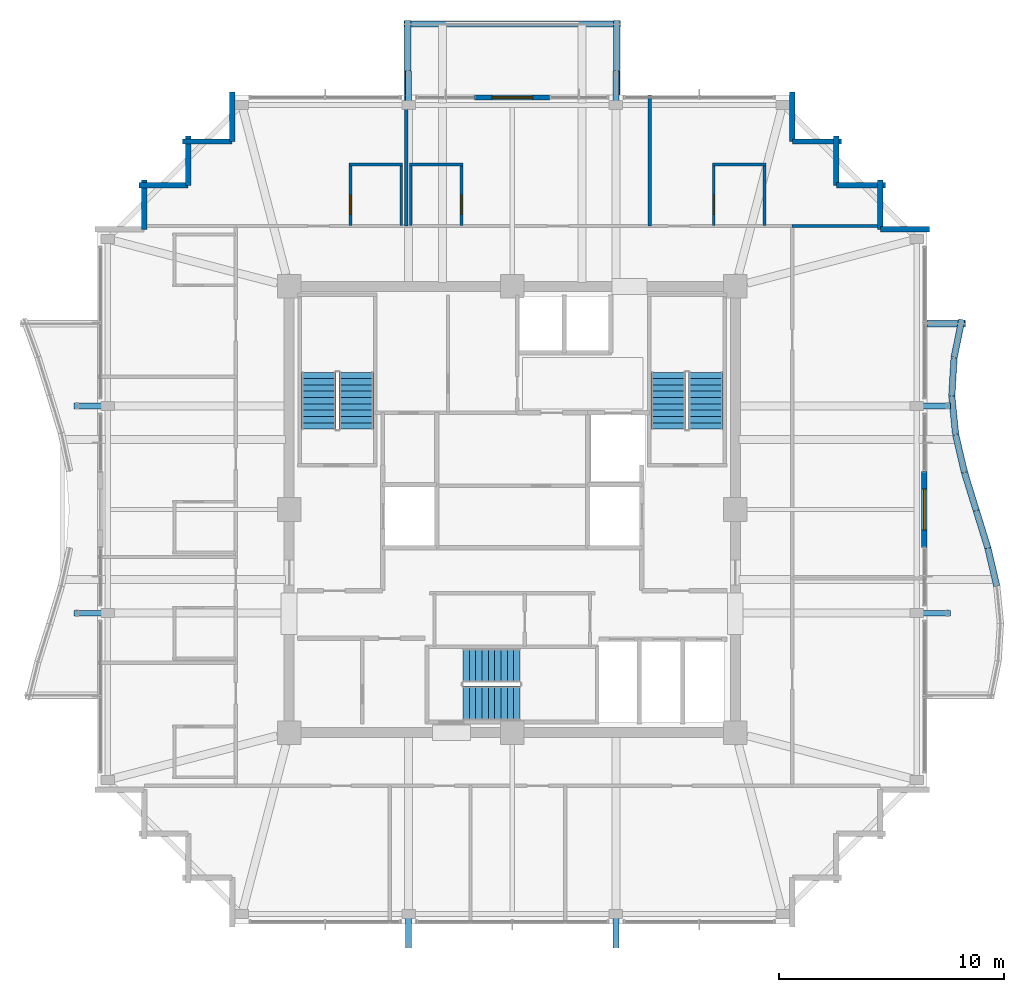
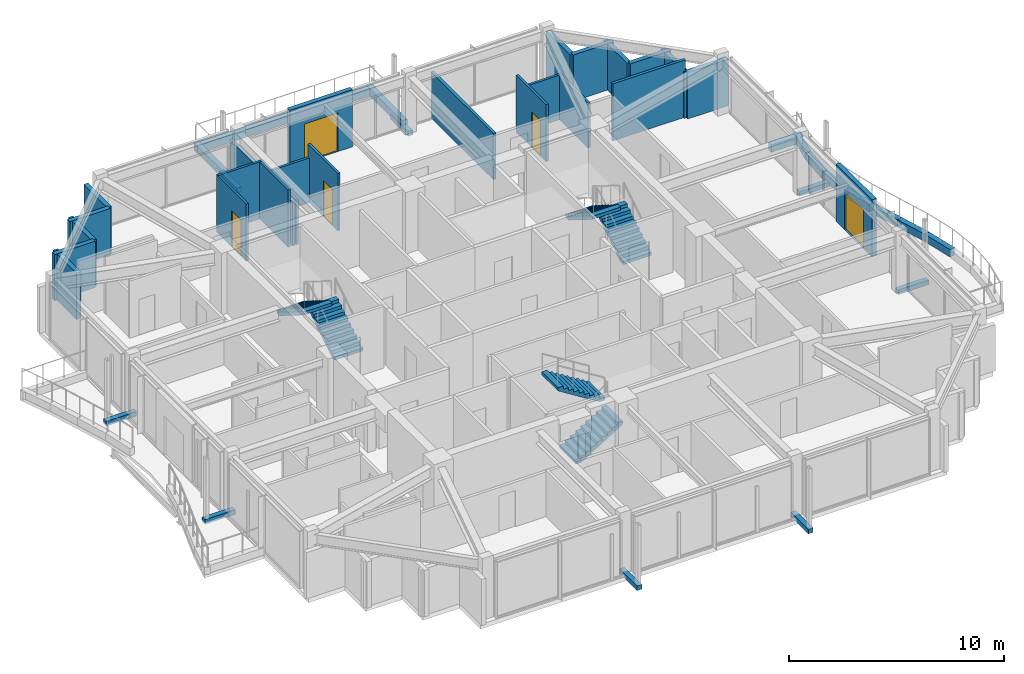
# One storey, part 29 of 31: 36 walls, 8 discrete accessories, 6 stair flights, 5 doors, 5 openings, 3 elements without a shape of their own.
"""IFC4 building model written with IfcOpenShell, lengths in metres."""

from ifc_helpers import new_model, si_unit, direction, frame, frame_2d, origin, origin_2d, place, context, subcontext, project, spatial, polyline, rectangle, outline, extrude, material, layer, layer_set, type_object, element, fill, aggregate, save


model = new_model("IFC4")

# Units and contexts
model_context = context("Model", 3, precision=1e-05, world=origin(), true_north=direction((0.0, 1.0)))
body_context = subcontext(model_context, "Body", "Model", "MODEL_VIEW")
ifc_project = project(units=[si_unit("LENGTHUNIT", "METRE"), si_unit("AREAUNIT", "SQUARE_METRE"), si_unit("VOLUMEUNIT", "CUBIC_METRE"), si_unit("PLANEANGLEUNIT", "RADIAN"), si_unit("MASSUNIT", "GRAM", prefix="KILO")], contexts=[model_context])

# Site, building, storey
site_placement = place(None, origin())
site = spatial("IfcSite", under=ifc_project, at=site_placement, CompositionType="ELEMENT")
building_placement = place(site_placement, origin())
building = spatial("IfcBuilding", under=site, at=building_placement, Name="Kolvaren Belvedere", CompositionType="ELEMENT")
storey_placement = place(building_placement, frame((0.0, 0.0, 251.39990234375)))
storey = spatial("IfcBuildingStorey", under=building, at=storey_placement, Name="L73", CompositionType="ELEMENT", Elevation=251.39990234375)

# Wall, opening, door
ifc_material_1 = material(Name="Insulated pale-metal facade wall assembly", Category="aluminium")
ifc_layer_1 = layer(ifc_material_1, 0.239990234375)
ifc_layer_set_1 = layer_set([ifc_layer_1], Name="Insulated pale-metal facade wall assembly")
wall_type_1 = type_object("IfcWallType", Name="WL-EXT-240", PredefinedType="STANDARD", material=ifc_layer_set_1)
wall_1_placement = place(storey_placement, frame((18.280029296875, 1.679931640625, 0.0), z_axis=(0.0, 0.0, 1.0), x_axis=(0.0, -1.0, 0.0)))
wall_1 = element("IfcWall", 1, at=wall_1_placement, inside=storey, type_object=wall_type_1, Name="L73 East Terrace Portal Wall", PredefinedType="STANDARD", context=body_context, shape_type="SweptSolid", body=[
    extrude(rectangle(XDim=3.35986328125, YDim=0.239990234375, at=frame_2d((1.679931640625, 0.0))), origin(), (0.0, 0.0, 1.0), 3.25),
])
opening_1_placement = place(wall_1_placement, frame((0.780029296875, 0.0, 0.0)))
opening_1 = element("IfcOpeningElement", 2, at=opening_1_placement, cuts=wall_1, Name="Opening DB-1800", PredefinedType="OPENING", context=body_context, shape_type="SweptSolid", body=[
    extrude(rectangle(XDim=1.800048828125, YDim=2.199951171875, at=frame_2d((0.89990234375, 1.10009765625))), frame((0.0, 0.1298828125, 0.0), z_axis=(0.0, -1.0, 0.0), x_axis=(1.0, 0.0, 0.0)), (0.0, 0.0, 1.0), 0.260009765625),
])
ifc_material_2 = material(Name="Thermally broken pale-metal aluminium & low-iron glass", Category="aluminium")
door_type_1 = type_object("IfcDoorType", Name="DR-BAL-1800", OperationType="DOUBLE_DOOR_SLIDING", PredefinedType="DOOR", material=ifc_material_2)
door_1_placement = place(opening_1_placement, origin())
door_1 = element("IfcDoor", 3, at=door_1_placement, inside=storey, type_object=door_type_1, Name="L73 East Planted Terrace Sliding Door", OperationType="DOUBLE_DOOR_SLIDING", OverallHeight=2.199951171875, OverallWidth=1.800048828125, PredefinedType="DOOR", context=body_context, shape_type="SweptSolid", body=[
    extrude(rectangle(XDim=1.800048828125, YDim=2.199951171875, at=frame_2d((0.89990234375, 1.10009765625))), frame((0.0, 0.02490234375, 0.0), z_axis=(0.0, -1.0, 0.0), x_axis=(1.0, 0.0, 0.0)), (0.0, 0.0, 1.0), 0.050048828125),
])
fill(opening_1, door_1)

# Walls
wall_2_placement = place(storey_placement, frame((16.330078125, 12.429931640625, 0.0), z_axis=(0.0, 0.0, 1.0), x_axis=(1.0, 0.0, 0.0)))
element("IfcWall", 4, at=wall_2_placement, inside=storey, type_object=wall_type_1, Name="L73 Serrated Corner Facade Wall 9", PredefinedType="STANDARD", context=body_context, shape_type="SweptSolid", body=[
    extrude(rectangle(XDim=2.18994140625, YDim=0.239990234375, at=frame_2d((1.094970703125, 0.0))), origin(), (0.0, 0.0, 1.0), 2.633056640625),
])
for number, where, z_axis, x_axis, name in (
    (5, (16.330078125, 14.6201171875, 0.0), (0.0, 0.0, 1.0), (0.0, -1.0, 0.0), "L73 Serrated Corner Facade Wall 10"),
    (6, (14.3798828125, 14.3798828125, 0.0), (0.0, 0.0, 1.0), (1.0, 0.0, 0.0), "L73 Serrated Corner Facade Wall 11"),
    (7, (14.3798828125, 16.570068359375, 0.0), (0.0, 0.0, 1.0), (0.0, -1.0, 0.0), "L73 Serrated Corner Facade Wall 12"),
    (8, (12.429931640625, 16.330078125, 0.0), (0.0, 0.0, 1.0), (1.0, 0.0, 0.0), "L73 Serrated Corner Facade Wall 13"),
):
    element("IfcWall", number, at=place(storey_placement, frame(where, z_axis=z_axis, x_axis=x_axis)), inside=storey, type_object=wall_type_1, Name=name, PredefinedType="STANDARD", context=body_context, shape_type="SweptSolid", body=[
        extrude(rectangle(XDim=2.190185546875, YDim=0.239990234375, at=frame_2d((1.09521484375, 0.0))), origin(), (0.0, 0.0, 1.0), 2.633056640625),
    ])
wall_3_placement = place(storey_placement, frame((12.429931640625, 18.52001953125, 0.0), z_axis=(0.0, 0.0, 1.0), x_axis=(0.0, -1.0, 0.0)))
element("IfcWall", 9, at=wall_3_placement, inside=storey, type_object=wall_type_1, Name="L73 Serrated Corner Facade Wall 14", PredefinedType="STANDARD", context=body_context, shape_type="SweptSolid", body=[
    extrude(rectangle(XDim=2.18994140625, YDim=0.239990234375, at=frame_2d((1.094970703125, 0.0))), origin(), (0.0, 0.0, 1.0), 2.633056640625),
])

# Wall, opening, door
wall_4_placement = place(storey_placement, frame((-1.679931640625, 18.280029296875, 0.0), z_axis=(0.0, 0.0, 1.0), x_axis=(1.0, 0.0, 0.0)))
wall_4 = element("IfcWall", 10, at=wall_4_placement, inside=storey, type_object=wall_type_1, Name="L73 North Terrace Portal Wall", PredefinedType="STANDARD", context=body_context, shape_type="SweptSolid", body=[
    extrude(rectangle(XDim=3.35986328125, YDim=0.239990234375, at=frame_2d((1.679931640625, 0.0))), origin(), (0.0, 0.0, 1.0), 3.25),
])
opening_2_placement = place(wall_4_placement, frame((0.780029296875, 0.0, 0.0)))
opening_2 = element("IfcOpeningElement", 11, at=opening_2_placement, cuts=wall_4, Name="Opening DB-1800", PredefinedType="OPENING", context=body_context, shape_type="SweptSolid", body=[
    extrude(rectangle(XDim=1.800048828125, YDim=2.199951171875, at=frame_2d((0.89990234375, 1.10009765625))), frame((0.0, 0.1298828125, 0.0), z_axis=(0.0, -1.0, 0.0), x_axis=(1.0, 0.0, 0.0)), (0.0, 0.0, 1.0), 0.260009765625),
])
door_2_placement = place(opening_2_placement, origin())
door_2 = element("IfcDoor", 12, at=door_2_placement, inside=storey, type_object=door_type_1, Name="L73 North Planted Terrace Sliding Door", OperationType="DOUBLE_DOOR_SLIDING", OverallHeight=2.199951171875, OverallWidth=1.800048828125, PredefinedType="DOOR", context=body_context, shape_type="SweptSolid", body=[
    extrude(rectangle(XDim=1.800048828125, YDim=2.199951171875, at=frame_2d((0.89990234375, 1.10009765625))), frame((0.0, 0.02490234375, 0.0), z_axis=(0.0, -1.0, 0.0), x_axis=(1.0, 0.0, 0.0)), (0.0, 0.0, 1.0), 0.050048828125),
])
fill(opening_2, door_2)

# Walls
wall_5_placement = place(storey_placement, frame((-12.429931640625, 16.330078125, 0.0), z_axis=(0.0, 0.0, 1.0), x_axis=(0.0, 1.0, 0.0)))
element("IfcWall", 13, at=wall_5_placement, inside=storey, type_object=wall_type_1, Name="L73 Serrated Corner Facade Wall 16", PredefinedType="STANDARD", context=body_context, shape_type="SweptSolid", body=[
    extrude(rectangle(XDim=2.18994140625, YDim=0.239990234375, at=frame_2d((1.094970703125, 0.0))), origin(), (0.0, 0.0, 1.0), 2.633056640625),
])
for number, where, z_axis, x_axis, name in (
    (14, (-14.6201171875, 16.330078125, 0.0), (0.0, 0.0, 1.0), (1.0, 0.0, 0.0), "L73 Serrated Corner Facade Wall 17"),
    (15, (-14.3798828125, 14.3798828125, 0.0), (0.0, 0.0, 1.0), (0.0, 1.0, 0.0), "L73 Serrated Corner Facade Wall 18"),
    (16, (-16.570068359375, 14.3798828125, 0.0), (0.0, 0.0, 1.0), (1.0, 0.0, 0.0), "L73 Serrated Corner Facade Wall 19"),
    (17, (-16.330078125, 12.429931640625, 0.0), (0.0, 0.0, 1.0), (0.0, 1.0, 0.0), "L73 Serrated Corner Facade Wall 20"),
):
    element("IfcWall", number, at=place(storey_placement, frame(where, z_axis=z_axis, x_axis=x_axis)), inside=storey, type_object=wall_type_1, Name=name, PredefinedType="STANDARD", context=body_context, shape_type="SweptSolid", body=[
        extrude(rectangle(XDim=2.190185546875, YDim=0.239990234375, at=frame_2d((1.09521484375, 0.0))), origin(), (0.0, 0.0, 1.0), 2.633056640625),
    ])
ifc_material_3 = material(Name="Gypsum acoustic partition assembly", Category="gypsum")
ifc_layer_2 = layer(ifc_material_3, 0.14990234375)
ifc_layer_set_2 = layer_set([ifc_layer_2], Name="Gypsum acoustic partition assembly")
wall_type_2 = type_object("IfcWallType", Name="WL-PART-150", PredefinedType="PARTITIONING", material=ifc_layer_set_2)
wall_6_placement = place(storey_placement, frame((12.419921875, 12.580078125, 0.0), z_axis=(0.0, 0.0, 1.0), x_axis=(1.0, 0.0, 0.0)))
element("IfcWall", 18, at=wall_6_placement, inside=storey, type_object=wall_type_2, Name="L73 Wing Divider PW-L73-QNE", PredefinedType="PARTITIONING", context=body_context, shape_type="SweptSolid", body=[
    extrude(rectangle(XDim=3.900146484375, YDim=0.14990234375, at=frame_2d((1.9501953125, 0.0))), origin(), (0.0, 0.0, 1.0), 3.25),
])
wall_7_placement = place(storey_placement, frame((-4.696044921875, 12.580078125, 0.0), z_axis=(0.0, 0.0, 1.0), x_axis=(0.0, 1.0, 0.0)))
element("IfcWall", 19, at=wall_7_placement, inside=storey, type_object=wall_type_2, Name="L73 North Suite Demising Wall 1", PredefinedType="PARTITIONING", context=body_context, shape_type="SweptSolid", body=[
    extrude(rectangle(XDim=5.7998046875, YDim=0.14990234375, at=frame_2d((2.89990234375, 0.0))), origin(), (0.0, 0.0, 1.0), 2.5390625),
])
wall_8_placement = place(storey_placement, frame((6.10400390625, 12.580078125, 0.0), z_axis=(0.0, 0.0, 1.0), x_axis=(0.0, 1.0, 0.0)))
element("IfcWall", 20, at=wall_8_placement, inside=storey, type_object=wall_type_2, Name="L73 North Suite Demising Wall 2", PredefinedType="PARTITIONING", context=body_context, shape_type="SweptSolid", body=[
    extrude(rectangle(XDim=5.7998046875, YDim=0.14990234375, at=frame_2d((2.89990234375, 0.0))), origin(), (0.0, 0.0, 1.0), 2.623046875),
])
ifc_material_4 = material(Name="Precast concrete C40/50", Category="concrete")
ifc_layer_3 = layer(ifc_material_4, 0.300048828125)
ifc_layer_set_3 = layer_set([ifc_layer_3], Name="Precast concrete C40/50")
wall_type_3 = type_object("IfcWallType", Name="WL-PLANTER-300", PredefinedType="PARAPET", material=ifc_layer_set_3)
wall_9_placement = place(storey_placement, frame((4.639892578125, 18.39990234375, -0.06982421875), z_axis=(0.0, 0.0, 1.0), x_axis=(0.0, 1.0, 0.0)))
element("IfcWall", 21, at=wall_9_placement, inside=storey, type_object=wall_type_3, Name="L73 Precast Structural Planter Wall SPIRAL-12-N-2", PredefinedType="PARAPET", context=body_context, shape_type="SweptSolid", body=[
    extrude(rectangle(XDim=3.300048828125, YDim=0.280029296875, at=frame_2d((1.64990234375, 0.0))), origin(), (0.0, 0.0, 1.0), 0.419921875),
])
wall_10_placement = place(storey_placement, frame((4.800048828125, 21.5400390625, -0.06982421875), z_axis=(0.0, 0.0, 1.0), x_axis=(-1.0, 0.0, 0.0)))
element("IfcWall", 22, at=wall_10_placement, inside=storey, type_object=wall_type_3, Name="L73 Precast Structural Planter Wall SPIRAL-12-N-3", PredefinedType="PARAPET", context=body_context, shape_type="SweptSolid", body=[
    extrude(rectangle(XDim=9.60009765625, YDim=0.280029296875, at=frame_2d((4.800048828125, 0.0))), origin(), (0.0, 0.0, 1.0), 0.419921875),
])
wall_11_placement = place(storey_placement, frame((-4.639892578125, 21.699951171875, -0.06982421875), z_axis=(0.0, 0.0, 1.0), x_axis=(0.0, -1.0, 0.0)))
element("IfcWall", 23, at=wall_11_placement, inside=storey, type_object=wall_type_3, Name="L73 Precast Structural Planter Wall SPIRAL-12-N-4", PredefinedType="PARAPET", context=body_context, shape_type="SweptSolid", body=[
    extrude(rectangle(XDim=3.300048828125, YDim=0.280029296875, at=frame_2d((1.64990234375, 0.0))), origin(), (0.0, 0.0, 1.0), 0.419921875),
])
wall_12_placement = place(storey_placement, frame((21.49609375, -3.396240234375, -0.06982421875), z_axis=(0.0, 0.0, 1.0), x_axis=(-0.227019323824, 0.973890253884, 0.0)))
element("IfcWall", 24, at=wall_12_placement, inside=storey, type_object=wall_type_3, Name="L73 Precast Structural Planter Wall BAL-E-4", PredefinedType="PARAPET", context=body_context, shape_type="SweptSolid", body=[
    extrude(rectangle(XDim=1.724853515625, YDim=0.280029296875, at=frame_2d((0.8623046875, 0.0))), origin(), (0.0, 0.0, 1.0), 0.419921875),
])
wall_13_placement = place(storey_placement, frame((21.107421875, -1.727294921875, -0.06982421875), z_axis=(0.0, 0.0, 1.0), x_axis=(-0.295831524561, 0.95524013163, 0.0)))
element("IfcWall", 25, at=wall_13_placement, inside=storey, type_object=wall_type_3, Name="L73 Precast Structural Planter Wall BAL-E-5", PredefinedType="PARAPET", context=body_context, shape_type="SweptSolid", body=[
    extrude(rectangle(XDim=1.758544921875, YDim=0.280029296875, at=frame_2d((0.87939453125, 0.0))), origin(), (0.0, 0.0, 1.0), 0.419921875),
])
wall_14_placement = place(storey_placement, frame((20.587158203125, -0.04736328125, -0.06982421875), z_axis=(0.0, 0.0, 1.0), x_axis=(-0.29579229954, 0.955252278476, 0.0)))
element("IfcWall", 26, at=wall_14_placement, inside=storey, type_object=wall_type_3, Name="L73 Precast Structural Planter Wall BAL-E-6", PredefinedType="PARAPET", context=body_context, shape_type="SweptSolid", body=[
    extrude(rectangle(XDim=1.7587890625, YDim=0.280029296875, at=frame_2d((0.87939453125, 0.0))), origin(), (0.0, 0.0, 1.0), 0.419921875),
])
wall_15_placement = place(storey_placement, frame((20.06396484375, 1.643798828125, -0.06982421875), z_axis=(0.0, 0.0, 1.0), x_axis=(-0.227019323824, 0.973890253884, 0.0)))
element("IfcWall", 27, at=wall_15_placement, inside=storey, type_object=wall_type_3, Name="L73 Precast Structural Planter Wall BAL-E-7", PredefinedType="PARAPET", context=body_context, shape_type="SweptSolid", body=[
    extrude(rectangle(XDim=1.724853515625, YDim=0.280029296875, at=frame_2d((0.8623046875, 0.0))), origin(), (0.0, 0.0, 1.0), 0.419921875),
])
wall_16_placement = place(storey_placement, frame((19.6689453125, 3.34423828125, -0.06982421875), z_axis=(0.0, 0.0, 1.0), x_axis=(-0.098329649867, 0.995153897624, 0.0)))
element("IfcWall", 28, at=wall_16_placement, inside=storey, type_object=wall_type_3, Name="L73 Precast Structural Planter Wall BAL-E-8", PredefinedType="PARAPET", context=body_context, shape_type="SweptSolid", body=[
    extrude(rectangle(XDim=1.6884765625, YDim=0.280029296875, at=frame_2d((0.84423828125, 0.0))), origin(), (0.0, 0.0, 1.0), 0.419921875),
])
wall_17_placement = place(storey_placement, frame((19.50244140625, 5.049560546875, -0.06982421875), z_axis=(0.0, 0.0, 1.0), x_axis=(0.059767979379, 0.998212296378, 0.0)))
element("IfcWall", 29, at=wall_17_placement, inside=storey, type_object=wall_type_3, Name="L73 Precast Structural Planter Wall BAL-E-9", PredefinedType="PARAPET", context=body_context, shape_type="SweptSolid", body=[
    extrude(rectangle(XDim=1.682861328125, YDim=0.280029296875, at=frame_2d((0.84130859375, 0.0))), origin(), (0.0, 0.0, 1.0), 0.419921875),
])
wall_18_placement = place(storey_placement, frame((19.60595703125, 6.751953125, -0.06982421875), z_axis=(0.0, 0.0, 1.0), x_axis=(0.199784246163, 0.979839912937, 0.0)))
element("IfcWall", 30, at=wall_18_placement, inside=storey, type_object=wall_type_3, Name="L73 Precast Structural Planter Wall BAL-E-10", PredefinedType="PARAPET", context=body_context, shape_type="SweptSolid", body=[
    extrude(rectangle(XDim=1.714599609375, YDim=0.280029296875, at=frame_2d((0.857421875, 0.0))), origin(), (0.0, 0.0, 1.0), 0.419921875),
])
wall_19_placement = place(storey_placement, frame((20.105224609375, 8.239990234375, -0.06982421875), z_axis=(0.0, 0.0, 1.0), x_axis=(-1.0, 0.0, 0.0)))
element("IfcWall", 31, at=wall_19_placement, inside=storey, type_object=wall_type_3, Name="L73 Precast Structural Planter Wall BAL-E-11", PredefinedType="PARAPET", context=body_context, shape_type="SweptSolid", body=[
    extrude(rectangle(XDim=1.705322265625, YDim=0.280029296875, at=frame_2d((0.8525390625, 0.0))), origin(), (0.0, 0.0, 1.0), 0.419921875),
])

# Wall, opening, door
ifc_material_5 = material(Name="Moisture-resistant gypsum partition", Category="gypsum")
ifc_layer_4 = layer(ifc_material_5, 0.125)
ifc_layer_set_4 = layer_set([ifc_layer_4], Name="Moisture-resistant gypsum partition")
wall_type_4 = type_object("IfcWallType", Name="WL-WET-125", PredefinedType="PARTITIONING", material=ifc_layer_set_4)
wall_20_placement = place(storey_placement, frame((-7.175048828125, 12.594970703125, 0.0), z_axis=(0.0, 0.0, 1.0), x_axis=(0.0, 1.0, 0.0)))
wall_20 = element("IfcWall", 32, at=wall_20_placement, inside=storey, type_object=wall_type_4, Name="L73 Bathroom Partition PW-L73-BTH-9-E", PredefinedType="PARTITIONING", context=body_context, shape_type="SweptSolid", body=[
    extrude(rectangle(XDim=2.7900390625, YDim=0.125, at=frame_2d((1.39501953125, 0.0))), origin(), (0.0, 0.0, 1.0), 3.25),
])
opening_3_placement = place(wall_20_placement, frame((0.5, 0.0, 0.0)))
opening_3 = element("IfcOpeningElement", 33, at=opening_3_placement, cuts=wall_20, Name="Opening D-BTH85", PredefinedType="OPENING", context=body_context, shape_type="SweptSolid", body=[
    extrude(rectangle(XDim=0.85009765625, YDim=2.030029296875, at=frame_2d((0.425048828125, 1.01513671875))), frame((0.0, 0.072509765625, 0.0), z_axis=(0.0, -1.0, 0.0), x_axis=(1.0, 0.0, 0.0)), (0.0, 0.0, 1.0), 0.14501953125),
])
ifc_material_6 = material(Name="Moisture-sealed Pacific white oak", Category="timber")
door_type_2 = type_object("IfcDoorType", Name="DR-BATH-850", OperationType="NOTDEFINED", PredefinedType="DOOR", material=ifc_material_6)
door_3_placement = place(opening_3_placement, origin())
door_3 = element("IfcDoor", 34, at=door_3_placement, inside=storey, type_object=door_type_2, Name="L73 En-Suite Bathroom 7309 Door", OperationType="SINGLE_SWING_LEFT", OverallHeight=2.030029296875, OverallWidth=0.85009765625, PredefinedType="DOOR", context=body_context, shape_type="SweptSolid", body=[
    extrude(rectangle(XDim=0.85009765625, YDim=2.030029296875, at=frame_2d((0.425048828125, 1.01513671875))), frame((0.0, 0.02490234375, 0.0), z_axis=(0.0, -1.0, 0.0), x_axis=(1.0, 0.0, 0.0)), (0.0, 0.0, 1.0), 0.050048828125),
])
fill(opening_3, door_3)

# Walls
wall_21_placement = place(storey_placement, frame((-7.235107421875, 15.304931640625, 0.0), z_axis=(0.0, 0.0, 1.0), x_axis=(1.0, 0.0, 0.0)))
element("IfcWall", 35, at=wall_21_placement, inside=storey, type_object=wall_type_4, Name="L73 Bathroom Partition PW-L73-BTH-9-H", PredefinedType="PARTITIONING", context=body_context, shape_type="SweptSolid", body=[
    extrude(rectangle(XDim=2.3701171875, YDim=0.125, at=frame_2d((1.18505859375, 0.0))), origin(), (0.0, 0.0, 1.0), 3.25),
])
wall_22_placement = place(storey_placement, frame((-4.925048828125, 12.594970703125, 0.0), z_axis=(0.0, 0.0, 1.0), x_axis=(0.0, 1.0, 0.0)))
element("IfcWall", 36, at=wall_22_placement, inside=storey, type_object=wall_type_4, Name="L73 Bathroom Partition PW-L73-BTH-9-W", PredefinedType="PARTITIONING", context=body_context, shape_type="SweptSolid", body=[
    extrude(rectangle(XDim=2.7900390625, YDim=0.125, at=frame_2d((1.39501953125, 0.0))), origin(), (0.0, 0.0, 1.0), 3.25),
])

# Wall, opening, door
wall_23_placement = place(storey_placement, frame((-2.2509765625, 12.594970703125, 0.0), z_axis=(0.0, 0.0, 1.0), x_axis=(0.0, 1.0, 0.0)))
wall_23 = element("IfcWall", 37, at=wall_23_placement, inside=storey, type_object=wall_type_4, Name="L73 Bathroom Partition PW-L73-BTH-10-E", PredefinedType="PARTITIONING", context=body_context, shape_type="SweptSolid", body=[
    extrude(rectangle(XDim=2.7900390625, YDim=0.125, at=frame_2d((1.39501953125, 0.0))), origin(), (0.0, 0.0, 1.0), 3.25),
])
opening_4_placement = place(wall_23_placement, frame((0.5, 0.0, 0.0)))
opening_4 = element("IfcOpeningElement", 38, at=opening_4_placement, cuts=wall_23, Name="Opening D-BTH85", PredefinedType="OPENING", context=body_context, shape_type="SweptSolid", body=[
    extrude(rectangle(XDim=0.85009765625, YDim=2.030029296875, at=frame_2d((0.425048828125, 1.01513671875))), frame((0.0, 0.072509765625, 0.0), z_axis=(0.0, -1.0, 0.0), x_axis=(1.0, 0.0, 0.0)), (0.0, 0.0, 1.0), 0.14501953125),
])
door_4_placement = place(opening_4_placement, origin())
door_4 = element("IfcDoor", 39, at=door_4_placement, inside=storey, type_object=door_type_2, Name="L73 En-Suite Bathroom 7310 Door", OperationType="SINGLE_SWING_LEFT", OverallHeight=2.030029296875, OverallWidth=0.85009765625, PredefinedType="DOOR", context=body_context, shape_type="SweptSolid", body=[
    extrude(rectangle(XDim=0.85009765625, YDim=2.030029296875, at=frame_2d((0.425048828125, 1.01513671875))), frame((0.0, 0.02490234375, 0.0), z_axis=(0.0, -1.0, 0.0), x_axis=(1.0, 0.0, 0.0)), (0.0, 0.0, 1.0), 0.050048828125),
])
fill(opening_4, door_4)

# Walls
wall_24_placement = place(storey_placement, frame((-4.56103515625, 15.304931640625, 0.0), z_axis=(0.0, 0.0, 1.0), x_axis=(1.0, 0.0, 0.0)))
element("IfcWall", 40, at=wall_24_placement, inside=storey, type_object=wall_type_4, Name="L73 Bathroom Partition PW-L73-BTH-10-H", PredefinedType="PARTITIONING", context=body_context, shape_type="SweptSolid", body=[
    extrude(rectangle(XDim=2.3701171875, YDim=0.125, at=frame_2d((1.18505859375, 0.0))), origin(), (0.0, 0.0, 1.0), 2.5390625),
])
wall_25_placement = place(storey_placement, frame((-4.5009765625, 12.594970703125, 0.0), z_axis=(0.0, 0.0, 1.0), x_axis=(0.0, 1.0, 0.0)))
element("IfcWall", 41, at=wall_25_placement, inside=storey, type_object=wall_type_4, Name="L73 Bathroom Partition PW-L73-BTH-10-W", PredefinedType="PARTITIONING", context=body_context, shape_type="SweptSolid", body=[
    extrude(rectangle(XDim=2.7900390625, YDim=0.125, at=frame_2d((1.39501953125, 0.0))), origin(), (0.0, 0.0, 1.0), 2.5390625),
])

# Wall, opening, door
wall_26_placement = place(storey_placement, frame((8.944091796875, 12.594970703125, 0.0), z_axis=(0.0, 0.0, 1.0), x_axis=(0.0, 1.0, 0.0)))
wall_26 = element("IfcWall", 42, at=wall_26_placement, inside=storey, type_object=wall_type_4, Name="L73 Bathroom Partition PW-L73-BTH-11-E", PredefinedType="PARTITIONING", context=body_context, shape_type="SweptSolid", body=[
    extrude(rectangle(XDim=2.7900390625, YDim=0.125, at=frame_2d((1.39501953125, 0.0))), origin(), (0.0, 0.0, 1.0), 3.25),
])
opening_5_placement = place(wall_26_placement, frame((0.5, 0.0, 0.0)))
opening_5 = element("IfcOpeningElement", 43, at=opening_5_placement, cuts=wall_26, Name="Opening D-BTH85", PredefinedType="OPENING", context=body_context, shape_type="SweptSolid", body=[
    extrude(rectangle(XDim=0.85009765625, YDim=2.030029296875, at=frame_2d((0.425048828125, 1.01513671875))), frame((0.0, 0.072509765625, 0.0), z_axis=(0.0, -1.0, 0.0), x_axis=(1.0, 0.0, 0.0)), (0.0, 0.0, 1.0), 0.14501953125),
])
door_5_placement = place(opening_5_placement, origin())
door_5 = element("IfcDoor", 44, at=door_5_placement, inside=storey, type_object=door_type_2, Name="L73 En-Suite Bathroom 7311 Door", OperationType="SINGLE_SWING_LEFT", OverallHeight=2.030029296875, OverallWidth=0.85009765625, PredefinedType="DOOR", context=body_context, shape_type="SweptSolid", body=[
    extrude(rectangle(XDim=0.85009765625, YDim=2.030029296875, at=frame_2d((0.425048828125, 1.01513671875))), frame((0.0, 0.02490234375, 0.0), z_axis=(0.0, -1.0, 0.0), x_axis=(1.0, 0.0, 0.0)), (0.0, 0.0, 1.0), 0.050048828125),
])
fill(opening_5, door_5)

# Walls
wall_27_placement = place(storey_placement, frame((8.884033203125, 15.304931640625, 0.0), z_axis=(0.0, 0.0, 1.0), x_axis=(1.0, 0.0, 0.0)))
element("IfcWall", 45, at=wall_27_placement, inside=storey, type_object=wall_type_4, Name="L73 Bathroom Partition PW-L73-BTH-11-H", PredefinedType="PARTITIONING", context=body_context, shape_type="SweptSolid", body=[
    extrude(rectangle(XDim=2.369873046875, YDim=0.125, at=frame_2d((1.18505859375, 0.0))), origin(), (0.0, 0.0, 1.0), 2.5390625),
])
wall_28_placement = place(storey_placement, frame((11.194091796875, 12.594970703125, 0.0), z_axis=(0.0, 0.0, 1.0), x_axis=(0.0, 1.0, 0.0)))
element("IfcWall", 46, at=wall_28_placement, inside=storey, type_object=wall_type_4, Name="L73 Bathroom Partition PW-L73-BTH-11-W", PredefinedType="PARTITIONING", context=body_context, shape_type="SweptSolid", body=[
    extrude(rectangle(XDim=2.7900390625, YDim=0.125, at=frame_2d((1.39501953125, 0.0))), origin(), (0.0, 0.0, 1.0), 2.5390625),
])

# Stair, stair flights
ifc_material_7 = material(Name="Concrete C50/60", Category="concrete")
stair_type = type_object("IfcStairType", Name="ST-CORE-1520", PredefinedType="HALF_TURN_STAIR", material=ifc_material_7)
stair_1_placement = place(storey_placement, origin())
stair_1 = element("IfcStair", 47, at=stair_1_placement, inside=storey, type_object=stair_type, Name="L73 Protected Exit Stair ST-1", PredefinedType="HALF_TURN_STAIR")
ifc_material_8 = material(Name="Concrete C50/60", Category="concrete")
stair_flight_type = type_object("IfcStairFlightType", Name="SF-STR-1520", PredefinedType="STRAIGHT", material=ifc_material_8)
stair_flight_1_placement = place(storey_placement, frame((-6.919921875, 3.570068359375, 0.0), z_axis=(0.0, 0.0, 1.0), x_axis=(0.0, 1.0, 0.0)))
stair_flight_1 = element("IfcStairFlight", 48, at=stair_flight_1_placement, type_object=stair_flight_type, Name="ST-1 flight 1", NumberOfRisers=10, NumberOfTreads=9, PredefinedType="STRAIGHT", RiserHeight=0.175, TreadLength=0.28, context=body_context, shape_type="SweptSolid", body=[
    extrude(outline(polyline([(0.0, 0.0), (0.0, 0.175048828125), (0.280029296875, 0.175048828125), (0.280029296875, 0.35009765625), (0.56005859375, 0.35009765625), (0.56005859375, 0.52490234375), (0.840087890625, 0.52490234375), (0.840087890625, 0.699951171875), (1.1201171875, 0.699951171875), (1.1201171875, 0.875), (1.39990234375, 0.875), (1.39990234375, 1.050048828125), (1.679931640625, 1.050048828125), (1.679931640625, 1.22509765625), (1.9599609375, 1.22509765625), (1.9599609375, 1.39990234375), (2.239990234375, 1.39990234375), (2.239990234375, 1.574951171875), (2.52001953125, 1.574951171875), (2.52001953125, 1.75), (2.52001953125, 1.398193359375), (0.28271484375, 0.0), (0.0, 0.0)])), frame((0.0, 0.760009765625, 0.0), z_axis=(0.0, -1.0, 0.0), x_axis=(1.0, 0.0, 0.0)), (0.0, 0.0, 1.0), 1.52001953125),
])
stair_flight_2_placement = place(storey_placement, frame((-8.590087890625, 6.090087890625, 1.75), z_axis=(0.0, 0.0, 1.0), x_axis=(0.0, -1.0, 0.0)))
stair_flight_2 = element("IfcStairFlight", 49, at=stair_flight_2_placement, type_object=stair_flight_type, Name="ST-1 flight 2", NumberOfRisers=10, NumberOfTreads=9, PredefinedType="STRAIGHT", RiserHeight=0.175, TreadLength=0.28, context=body_context, shape_type="SweptSolid", body=[
    extrude(outline(polyline([(0.0, 0.0), (0.0, 0.175048828125), (0.280029296875, 0.175048828125), (0.280029296875, 0.35009765625), (0.56005859375, 0.35009765625), (0.56005859375, 0.52490234375), (0.840087890625, 0.52490234375), (0.840087890625, 0.699951171875), (1.1201171875, 0.699951171875), (1.1201171875, 0.875), (1.39990234375, 0.875), (1.39990234375, 1.050048828125), (1.679931640625, 1.050048828125), (1.679931640625, 1.22509765625), (1.9599609375, 1.22509765625), (1.9599609375, 1.39990234375), (2.239990234375, 1.39990234375), (2.239990234375, 1.574951171875), (2.52001953125, 1.574951171875), (2.52001953125, 1.75), (2.52001953125, 1.398193359375), (0.28271484375, 0.0), (0.0, 0.0)])), frame((0.0, 0.760009765625, 0.0), z_axis=(0.0, -1.0, 0.0), x_axis=(1.0, 0.0, 0.0)), (0.0, 0.0, 1.0), 1.52001953125),
])
aggregate(stair_1, [stair_flight_1, stair_flight_2])

stair_2_placement = place(storey_placement, origin())
stair_2 = element("IfcStair", 50, at=stair_2_placement, inside=storey, type_object=stair_type, Name="L73 Protected Exit Stair ST-2", PredefinedType="HALF_TURN_STAIR")
stair_flight_3_placement = place(storey_placement, frame((8.590087890625, 3.570068359375, 0.0), z_axis=(0.0, 0.0, 1.0), x_axis=(0.0, 1.0, 0.0)))
stair_flight_3 = element("IfcStairFlight", 51, at=stair_flight_3_placement, type_object=stair_flight_type, Name="ST-2 flight 1", NumberOfRisers=10, NumberOfTreads=9, PredefinedType="STRAIGHT", RiserHeight=0.175, TreadLength=0.28, context=body_context, shape_type="SweptSolid", body=[
    extrude(outline(polyline([(0.0, 0.0), (0.0, 0.175048828125), (0.280029296875, 0.175048828125), (0.280029296875, 0.35009765625), (0.56005859375, 0.35009765625), (0.56005859375, 0.52490234375), (0.840087890625, 0.52490234375), (0.840087890625, 0.699951171875), (1.1201171875, 0.699951171875), (1.1201171875, 0.875), (1.39990234375, 0.875), (1.39990234375, 1.050048828125), (1.679931640625, 1.050048828125), (1.679931640625, 1.22509765625), (1.9599609375, 1.22509765625), (1.9599609375, 1.39990234375), (2.239990234375, 1.39990234375), (2.239990234375, 1.574951171875), (2.52001953125, 1.574951171875), (2.52001953125, 1.75), (2.52001953125, 1.398193359375), (0.28271484375, 0.0), (0.0, 0.0)])), frame((0.0, 0.760009765625, 0.0), z_axis=(0.0, -1.0, 0.0), x_axis=(1.0, 0.0, 0.0)), (0.0, 0.0, 1.0), 1.52001953125),
])
stair_flight_4_placement = place(storey_placement, frame((6.919921875, 6.090087890625, 1.75), z_axis=(0.0, 0.0, 1.0), x_axis=(0.0, -1.0, 0.0)))
stair_flight_4 = element("IfcStairFlight", 52, at=stair_flight_4_placement, type_object=stair_flight_type, Name="ST-2 flight 2", NumberOfRisers=10, NumberOfTreads=9, PredefinedType="STRAIGHT", RiserHeight=0.175, TreadLength=0.28, context=body_context, shape_type="SweptSolid", body=[
    extrude(outline(polyline([(0.0, 0.0), (0.0, 0.175048828125), (0.280029296875, 0.175048828125), (0.280029296875, 0.35009765625), (0.56005859375, 0.35009765625), (0.56005859375, 0.52490234375), (0.840087890625, 0.52490234375), (0.840087890625, 0.699951171875), (1.1201171875, 0.699951171875), (1.1201171875, 0.875), (1.39990234375, 0.875), (1.39990234375, 1.050048828125), (1.679931640625, 1.050048828125), (1.679931640625, 1.22509765625), (1.9599609375, 1.22509765625), (1.9599609375, 1.39990234375), (2.239990234375, 1.39990234375), (2.239990234375, 1.574951171875), (2.52001953125, 1.574951171875), (2.52001953125, 1.75), (2.52001953125, 1.398193359375), (0.28271484375, 0.0), (0.0, 0.0)])), frame((0.0, 0.760009765625, 0.0), z_axis=(0.0, -1.0, 0.0), x_axis=(1.0, 0.0, 0.0)), (0.0, 0.0, 1.0), 1.52001953125),
])
aggregate(stair_2, [stair_flight_3, stair_flight_4])

stair_3_placement = place(storey_placement, origin())
stair_3 = element("IfcStair", 53, at=stair_3_placement, inside=storey, type_object=stair_type, Name="L73 Protected Exit Stair ST-3", PredefinedType="HALF_TURN_STAIR")
stair_flight_5_placement = place(storey_placement, frame((-2.179931640625, -8.590087890625, 0.0), z_axis=(0.0, 0.0, 1.0), x_axis=(1.0, 0.0, 0.0)))
stair_flight_5 = element("IfcStairFlight", 54, at=stair_flight_5_placement, type_object=stair_flight_type, Name="ST-3 flight 1", NumberOfRisers=10, NumberOfTreads=9, PredefinedType="STRAIGHT", RiserHeight=0.175, TreadLength=0.28, context=body_context, shape_type="SweptSolid", body=[
    extrude(outline(polyline([(0.0, 0.0), (0.0, 0.175048828125), (0.280029296875, 0.175048828125), (0.280029296875, 0.35009765625), (0.56005859375, 0.35009765625), (0.56005859375, 0.52490234375), (0.840087890625, 0.52490234375), (0.840087890625, 0.699951171875), (1.1201171875, 0.699951171875), (1.1201171875, 0.875), (1.39990234375, 0.875), (1.39990234375, 1.050048828125), (1.679931640625, 1.050048828125), (1.679931640625, 1.22509765625), (1.9599609375, 1.22509765625), (1.9599609375, 1.39990234375), (2.239990234375, 1.39990234375), (2.239990234375, 1.574951171875), (2.52001953125, 1.574951171875), (2.52001953125, 1.75), (2.52001953125, 1.398193359375), (0.28271484375, 0.0), (0.0, 0.0)])), frame((0.0, 0.760009765625, 0.0), z_axis=(0.0, -1.0, 0.0), x_axis=(1.0, 0.0, 0.0)), (0.0, 0.0, 1.0), 1.52001953125),
])
stair_flight_6_placement = place(storey_placement, frame((0.340087890625, -6.919921875, 1.75), z_axis=(0.0, 0.0, 1.0), x_axis=(-1.0, 0.0, 0.0)))
stair_flight_6 = element("IfcStairFlight", 55, at=stair_flight_6_placement, type_object=stair_flight_type, Name="ST-3 flight 2", NumberOfRisers=10, NumberOfTreads=9, PredefinedType="STRAIGHT", RiserHeight=0.175, TreadLength=0.28, context=body_context, shape_type="SweptSolid", body=[
    extrude(outline(polyline([(0.0, 0.0), (0.0, 0.175048828125), (0.280029296875, 0.175048828125), (0.280029296875, 0.35009765625), (0.56005859375, 0.35009765625), (0.56005859375, 0.52490234375), (0.840087890625, 0.52490234375), (0.840087890625, 0.699951171875), (1.1201171875, 0.699951171875), (1.1201171875, 0.875), (1.39990234375, 0.875), (1.39990234375, 1.050048828125), (1.679931640625, 1.050048828125), (1.679931640625, 1.22509765625), (1.9599609375, 1.22509765625), (1.9599609375, 1.39990234375), (2.239990234375, 1.39990234375), (2.239990234375, 1.574951171875), (2.52001953125, 1.574951171875), (2.52001953125, 1.75), (2.52001953125, 1.398193359375), (0.28271484375, 0.0), (0.0, 0.0)])), frame((0.0, 0.760009765625, 0.0), z_axis=(0.0, -1.0, 0.0), x_axis=(1.0, 0.0, 0.0)), (0.0, 0.0, 1.0), 1.52001953125),
])
aggregate(stair_3, [stair_flight_5, stair_flight_6])

# Discrete accessories
ifc_material_9 = material(Name="Structural steel ASTM A572 Grade 50", Category="steel")
discrete_accessory_type = type_object("IfcDiscreteAccessoryType", Name="BRK-1 Steel Facade Support Bracket", PredefinedType="BRACKET", material=ifc_material_9)
for number, where, z_axis, x_axis, name in (
    (56, (-4.60009765625, 18.635009765625, -0.169921875), (0.0, 0.0, 1.0), (0.0, 1.0, 0.0), "L73 Picture-Frame Outrigger Cleat Bracket N1"),
    (57, (4.60009765625, 18.635009765625, -0.169921875), (0.0, 0.0, 1.0), (0.0, 1.0, 0.0), "L73 Picture-Frame Outrigger Cleat Bracket N2"),
    (58, (4.60009765625, -18.635009765625, -0.169921875), (0.0, 0.0, 1.0), (0.0, 1.0, 0.0), "L73 Picture-Frame Outrigger Cleat Bracket S1"),
    (59, (-4.60009765625, -18.635009765625, -0.169921875), (0.0, 0.0, 1.0), (0.0, 1.0, 0.0), "L73 Picture-Frame Outrigger Cleat Bracket S2"),
    (60, (18.635009765625, 4.60009765625, -0.169921875), (0.0, 0.0, 1.0), (1.0, 0.0, 0.0), "L73 Picture-Frame Outrigger Cleat Bracket E1"),
    (61, (18.635009765625, -4.60009765625, -0.169921875), (0.0, 0.0, 1.0), (1.0, 0.0, 0.0), "L73 Picture-Frame Outrigger Cleat Bracket E2"),
    (62, (-18.635009765625, -4.60009765625, -0.169921875), (0.0, 0.0, 1.0), (1.0, 0.0, 0.0), "L73 Picture-Frame Outrigger Cleat Bracket W1"),
    (63, (-18.635009765625, 4.60009765625, -0.169921875), (0.0, 0.0, 1.0), (1.0, 0.0, 0.0), "L73 Picture-Frame Outrigger Cleat Bracket W2"),
):
    element("IfcDiscreteAccessory", number, at=place(storey_placement, frame(where, z_axis=z_axis, x_axis=x_axis)), inside=storey, type_object=discrete_accessory_type, Name=name, PredefinedType="BRACKET", context=body_context, shape_type="SweptSolid", body=[
        extrude(rectangle(XDim=1.639892578125, YDim=0.260009765625, at=origin_2d()), origin(), (0.0, 0.0, 1.0), 0.260009765625),
    ])

save(model, "model.ifc")
